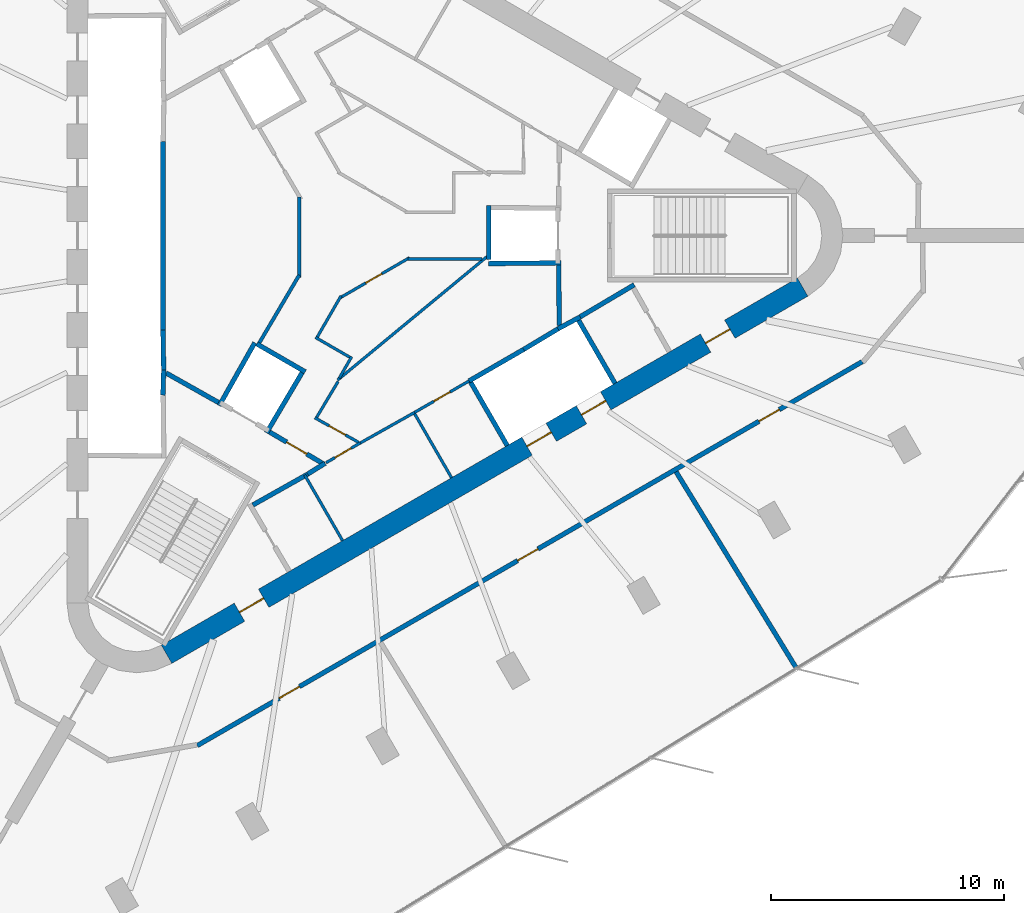
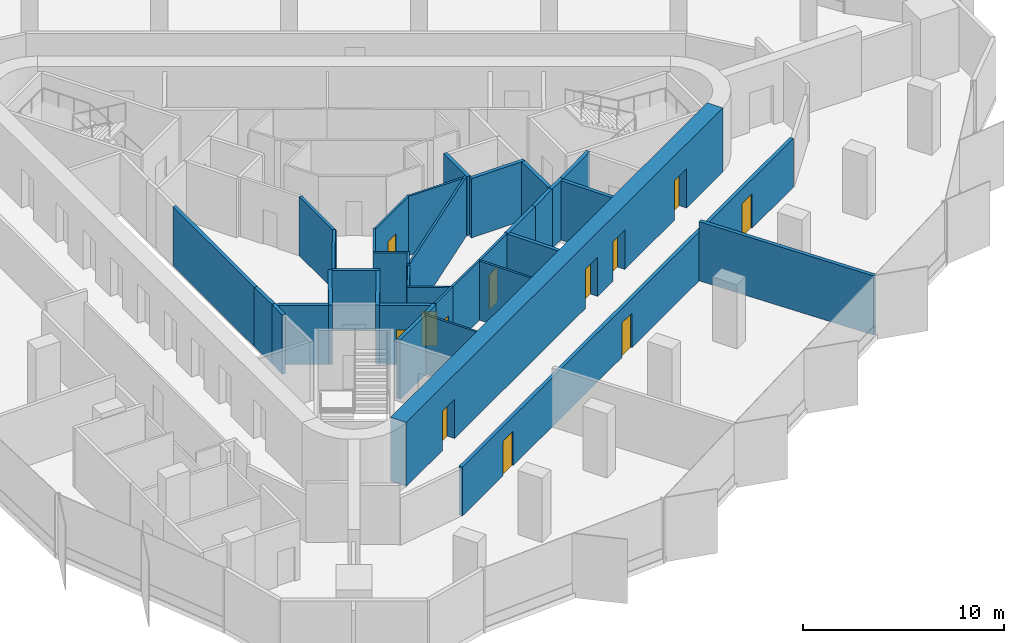
# One storey, part 8 of 12: 37 walls, 12 doors, 12 openings.
"""IFC4 building model written with IfcOpenShell, lengths in metres."""

from ifc_helpers import new_model, si_unit, direction, frame, frame_2d, origin, place, context, subcontext, project, spatial, rectangle, extrude, material, layer, layer_set, type_object, element, fill, save


model = new_model("IFC4")

# Units and contexts
model_context = context("Model", 3, precision=1e-05, world=origin(), true_north=direction((0.0, 1.0)))
body_context = subcontext(model_context, "Body", "Model", "MODEL_VIEW")
ifc_project = project(units=[si_unit("LENGTHUNIT", "METRE"), si_unit("AREAUNIT", "SQUARE_METRE"), si_unit("VOLUMEUNIT", "CUBIC_METRE"), si_unit("PLANEANGLEUNIT", "RADIAN"), si_unit("MASSUNIT", "GRAM", prefix="KILO")], contexts=[model_context])

# Site, building, storey
site_placement = place(None, origin())
site = spatial("IfcSite", under=ifc_project, at=site_placement, CompositionType="ELEMENT")
building_placement = place(site_placement, origin())
building = spatial("IfcBuilding", under=site, at=building_placement, Name="Tanit Gate Tower", CompositionType="ELEMENT")
storey_placement = place(building_placement, frame((0.0, 0.0, 345.5)))
storey = spatial("IfcBuildingStorey", under=building, at=storey_placement, Name="L78", CompositionType="ELEMENT", Elevation=345.5)

# Wall, openings, doors
ifc_material_1 = material(Name="Concrete C40/50", Category="concrete")
ifc_layer_1 = layer(ifc_material_1, 0.89990234375)
ifc_layer_set_1 = layer_set([ifc_layer_1], Name="CORE WALL 900 C40/50")
wall_type_1 = type_object("IfcWallType", Name="CORE WALL 900 C40/50", PredefinedType="SHEAR", material=ifc_layer_set_1)
wall_1_placement = place(storey_placement, frame((-7.824951171875, -17.969970703125, 0.0), z_axis=(0.0, 0.0, 1.0), x_axis=(0.866028369851, 0.499994862586, 0.0)))
wall_1 = element("IfcWall", 1, at=wall_1_placement, inside=storey, type_object=wall_type_1, Name="CORE WALL", PredefinedType="SHEAR", context=body_context, shape_type="SweptSolid", body=[
    extrude(rectangle(XDim=31.523193359375, YDim=0.89990234375, at=frame_2d((15.76171875, 0.0))), origin(), (0.0, 0.0, 1.0), 3.89990234375),
])
opening_1_placement = place(wall_1_placement, frame((17.861572265625, 0.0, 0.0)))
opening_1 = element("IfcOpeningElement", 2, at=opening_1_placement, cuts=wall_1, Name="Opening LDSV1-S22", PredefinedType="OPENING", context=body_context, shape_type="SweptSolid", body=[
    extrude(rectangle(XDim=1.199951171875, YDim=2.39990234375, at=frame_2d((0.60009765625, 1.199951171875))), frame((0.0, 0.4599609375, 0.0), z_axis=(0.0, -1.0, 0.0), x_axis=(1.0, 0.0, 0.0)), (0.0, 0.0, 1.0), 0.919921875),
])
opening_2_placement = place(wall_1_placement, frame((20.561767578125, 0.0, 0.0)))
opening_2 = element("IfcOpeningElement", 3, at=opening_2_placement, cuts=wall_1, Name="Opening LDSV2-S22", PredefinedType="OPENING", context=body_context, shape_type="SweptSolid", body=[
    extrude(rectangle(XDim=1.199951171875, YDim=2.39990234375, at=frame_2d((0.60009765625, 1.199951171875))), frame((0.0, 0.4599609375, 0.0), z_axis=(0.0, -1.0, 0.0), x_axis=(1.0, 0.0, 0.0)), (0.0, 0.0, 1.0), 0.919921875),
])
opening_3_placement = place(wall_1_placement, frame((26.711669921875, 0.0, 0.0)))
opening_3 = element("IfcOpeningElement", 4, at=opening_3_placement, cuts=wall_1, Name="Opening F12-S22-S1", PredefinedType="OPENING", context=body_context, shape_type="SweptSolid", body=[
    extrude(rectangle(XDim=1.199951171875, YDim=2.39990234375, at=frame_2d((0.60009765625, 1.199951171875))), frame((0.0, 0.4599609375, 0.0), z_axis=(0.0, -1.0, 0.0), x_axis=(1.0, 0.0, 0.0)), (0.0, 0.0, 1.0), 0.919921875),
])
opening_4_placement = place(wall_1_placement, frame((3.611572265625, 0.0, 0.0)))
opening_4 = element("IfcOpeningElement", 5, at=opening_4_placement, cuts=wall_1, Name="Opening F12-S22-FL3", PredefinedType="OPENING", context=body_context, shape_type="SweptSolid", body=[
    extrude(rectangle(XDim=1.199951171875, YDim=2.39990234375, at=frame_2d((0.60009765625, 1.199951171875))), frame((0.0, 0.4599609375, 0.0), z_axis=(0.0, -1.0, 0.0), x_axis=(1.0, 0.0, 0.0)), (0.0, 0.0, 1.0), 0.919921875),
])
ifc_material_2 = material(Name="Fire-rated steel door leaf", Category="steel")
door_type_1 = type_object("IfcDoorType", Name="INT-DOOR-FIRE-LOBBY-1200", OperationType="NOTDEFINED", PredefinedType="USERDEFINED", material=ifc_material_2)
door_1_placement = place(opening_3_placement, origin())
door_1 = element("IfcDoor", 6, at=door_1_placement, inside=storey, type_object=door_type_1, Name="Door F12-S22-S1", ObjectType="FIRE DOOR", OperationType="SINGLE_SWING_RIGHT", OverallHeight=2.39990234375, OverallWidth=1.199951171875, PredefinedType="USERDEFINED", context=body_context, shape_type="SweptSolid", body=[
    extrude(rectangle(XDim=1.199951171875, YDim=2.39990234375, at=frame_2d((0.60009765625, 1.199951171875))), frame((0.0, 0.02490234375, 0.0), z_axis=(0.0, -1.0, 0.0), x_axis=(1.0, 0.0, 0.0)), (0.0, 0.0, 1.0), 0.050048828125),
])
fill(opening_3, door_1)
door_2_placement = place(opening_4_placement, origin())
door_2 = element("IfcDoor", 7, at=door_2_placement, inside=storey, type_object=door_type_1, Name="Door F12-S22-FL3", ObjectType="FIRE DOOR", OperationType="SINGLE_SWING_LEFT", OverallHeight=2.39990234375, OverallWidth=1.199951171875, PredefinedType="USERDEFINED", context=body_context, shape_type="SweptSolid", body=[
    extrude(rectangle(XDim=1.199951171875, YDim=2.39990234375, at=frame_2d((0.60009765625, 1.199951171875))), frame((0.0, 0.02490234375, 0.0), z_axis=(0.0, -1.0, 0.0), x_axis=(1.0, 0.0, 0.0)), (0.0, 0.0, 1.0), 0.050048828125),
])
fill(opening_4, door_2)
ifc_material_3 = material(Name="Stainless steel sliding door leaf", Category="steel")
door_type_2 = type_object("IfcDoorType", Name="INT-DOOR-LANDING-1200", OperationType="NOTDEFINED", PredefinedType="USERDEFINED", material=ifc_material_3)
door_3_placement = place(opening_1_placement, origin())
door_3 = element("IfcDoor", 8, at=door_3_placement, inside=storey, type_object=door_type_2, Name="Door LDSV1-S22", ObjectType="LANDING DOOR", OperationType="SLIDING_TO_LEFT", OverallHeight=2.39990234375, OverallWidth=1.199951171875, PredefinedType="USERDEFINED", context=body_context, shape_type="SweptSolid", body=[
    extrude(rectangle(XDim=1.199951171875, YDim=2.39990234375, at=frame_2d((0.60009765625, 1.199951171875))), frame((0.0, 0.02490234375, 0.0), z_axis=(0.0, -1.0, 0.0), x_axis=(1.0, 0.0, 0.0)), (0.0, 0.0, 1.0), 0.050048828125),
])
fill(opening_1, door_3)
door_4_placement = place(opening_2_placement, origin())
door_4 = element("IfcDoor", 9, at=door_4_placement, inside=storey, type_object=door_type_2, Name="Door LDSV2-S22", ObjectType="LANDING DOOR", OperationType="SLIDING_TO_LEFT", OverallHeight=2.39990234375, OverallWidth=1.199951171875, PredefinedType="USERDEFINED", context=body_context, shape_type="SweptSolid", body=[
    extrude(rectangle(XDim=1.199951171875, YDim=2.39990234375, at=frame_2d((0.60009765625, 1.199951171875))), frame((0.0, 0.02490234375, 0.0), z_axis=(0.0, -1.0, 0.0), x_axis=(1.0, 0.0, 0.0)), (0.0, 0.0, 1.0), 0.050048828125),
])
fill(opening_2, door_4)

# Walls
ifc_material_4 = material(Name="Fire-rated gypsum board partition")
ifc_layer_2 = layer(ifc_material_4, 0.199951171875)
ifc_layer_set_2 = layer_set([ifc_layer_2], Name="INT-WALL-COMPARTMENT")
wall_type_2 = type_object("IfcWallType", Name="INT-WALL-COMPARTMENT", PredefinedType="PARTITIONING", material=ifc_layer_set_2)
wall_2_placement = place(storey_placement, frame((-1.7685546875, -10.23681640625, 0.0), z_axis=(0.0, 0.0, 1.0), x_axis=(-0.871534483978, -0.490334215854, 0.0)))
element("IfcWall", 10, at=wall_2_placement, inside=storey, type_object=wall_type_2, Name="Wall Compartment W054", PredefinedType="PARTITIONING", context=body_context, shape_type="SweptSolid", body=[
    extrude(rectangle(XDim=2.7001953125, YDim=0.199951171875, at=frame_2d((1.35009765625, 0.0))), origin(), (0.0, 0.0, 1.0), 3.60009765625),
])
wall_3_placement = place(storey_placement, frame((-1.02392578125, -9.77099609375, 0.0), z_axis=(0.0, 0.0, 1.0), x_axis=(-0.850348075135, -0.526220629693, 0.0)))
element("IfcWall", 11, at=wall_3_placement, inside=storey, type_object=wall_type_2, Name="Wall Compartment W056", PredefinedType="PARTITIONING", context=body_context, shape_type="SweptSolid", body=[
    extrude(rectangle(XDim=0.878173828125, YDim=0.199951171875, at=frame_2d((0.43896484375, 0.0))), origin(), (0.0, 0.0, 1.0), 3.60009765625),
])
wall_4_placement = place(storey_placement, frame((12.244873046875, -2.10888671875, 0.0), z_axis=(0.0, 0.0, 1.0), x_axis=(-0.860414880418, -0.509594185166, 0.0)))
element("IfcWall", 12, at=wall_4_placement, inside=storey, type_object=wall_type_2, Name="Wall Compartment W060", PredefinedType="PARTITIONING", context=body_context, shape_type="SweptSolid", body=[
    extrude(rectangle(XDim=2.7001953125, YDim=0.199951171875, at=frame_2d((1.35009765625, 0.0))), origin(), (0.0, 0.0, 1.0), 3.60009765625),
])
for number, where, z_axis, x_axis, name in (
    (13, (9.02880859375, -3.8505859375, 0.0), (0.0, 0.0, 1.0), (-0.010784614026, 0.999941844359, 0.0), "Wall Compartment W062"),
    (14, (-7.84912109375, -5.893798828125, 0.0), (0.0, 0.0, 1.0), (0.871340486379, -0.490678873396, 0.0), "Wall Compartment W066"),
):
    element("IfcWall", number, at=place(storey_placement, frame(where, z_axis=z_axis, x_axis=x_axis)), inside=storey, type_object=wall_type_2, Name=name, PredefinedType="PARTITIONING", context=body_context, shape_type="SweptSolid", body=[
        extrude(rectangle(XDim=2.580810546875, YDim=0.199951171875, at=frame_2d((1.29052734375, 0.0))), origin(), (0.0, 0.0, 1.0), 3.60009765625),
    ])

# Wall, opening, door
wall_5_placement = place(storey_placement, frame((-3.400634765625, -8.43017578125, 0.0), z_axis=(0.0, 0.0, 1.0), x_axis=(0.860617791406, -0.509251428192, 0.0)))
wall_5 = element("IfcWall", 15, at=wall_5_placement, inside=storey, type_object=wall_type_2, Name="Wall Compartment W067", PredefinedType="PARTITIONING", context=body_context, shape_type="SweptSolid", body=[
    extrude(rectangle(XDim=2.709228515625, YDim=0.199951171875, at=frame_2d((1.3544921875, 0.0))), origin(), (0.0, 0.0, 1.0), 3.60009765625),
])
opening_5_placement = place(wall_5_placement, frame((0.848388671875, 0.0, 0.0)))
opening_5 = element("IfcOpeningElement", 16, at=opening_5_placement, cuts=wall_5, Name="Opening F10-S22-08", PredefinedType="OPENING", context=body_context, shape_type="SweptSolid", body=[
    extrude(rectangle(XDim=1.0, YDim=2.10009765625, at=frame_2d((0.5, 1.050048828125))), frame((0.0, 0.10986328125, 0.0), z_axis=(0.0, -1.0, 0.0), x_axis=(1.0, 0.0, 0.0)), (0.0, 0.0, 1.0), 0.219970703125),
])
ifc_material_5 = material(Name="Fire-rated steel door leaf", Category="steel")
door_type_3 = type_object("IfcDoorType", Name="INT-DOOR-FIRE-1000", OperationType="NOTDEFINED", PredefinedType="USERDEFINED", material=ifc_material_5)
door_5_placement = place(opening_5_placement, origin())
door_5 = element("IfcDoor", 17, at=door_5_placement, inside=storey, type_object=door_type_3, Name="Door F10-S22-08", ObjectType="FIRE DOOR", OperationType="SINGLE_SWING_RIGHT", OverallHeight=2.10009765625, OverallWidth=1.0, PredefinedType="USERDEFINED", context=body_context, shape_type="SweptSolid", body=[
    extrude(rectangle(XDim=1.0, YDim=2.10009765625, at=frame_2d((0.5, 1.050048828125))), frame((0.0, 0.02490234375, 0.0), z_axis=(0.0, -1.0, 0.0), x_axis=(1.0, 0.0, 0.0)), (0.0, 0.0, 1.0), 0.050048828125),
])
fill(opening_5, door_5)

# Wall, openings, doors
wall_6_placement = place(storey_placement, frame((-6.505126953125, -21.884521484375, 0.0), z_axis=(0.0, 0.0, 1.0), x_axis=(0.86602457258, 0.500001439686, 0.0)))
wall_6 = element("IfcWall", 18, at=wall_6_placement, inside=storey, type_object=wall_type_2, Name="Wall Compartment W114", PredefinedType="PARTITIONING", context=body_context, shape_type="SweptSolid", body=[
    extrude(rectangle(XDim=32.95166015625, YDim=0.199951171875, at=frame_2d((16.475830078125, 0.0))), origin(), (0.0, 0.0, 1.0), 2.969970703125),
])
opening_6_placement = place(wall_6_placement, frame((27.838623046875, 0.0, 0.0)))
opening_6 = element("IfcOpeningElement", 19, at=opening_6_placement, cuts=wall_6, Name="Opening F10-S22-29", PredefinedType="OPENING", context=body_context, shape_type="SweptSolid", body=[
    extrude(rectangle(XDim=1.0, YDim=2.10009765625, at=frame_2d((0.5, 1.050048828125))), frame((0.0, 0.10986328125, 0.0), z_axis=(0.0, -1.0, 0.0), x_axis=(1.0, 0.0, 0.0)), (0.0, 0.0, 1.0), 0.219970703125),
])
opening_7_placement = place(wall_6_placement, frame((15.87255859375, 0.0, 0.0)))
opening_7 = element("IfcOpeningElement", 20, at=opening_7_placement, cuts=wall_6, Name="Opening F10-S22-30", PredefinedType="OPENING", context=body_context, shape_type="SweptSolid", body=[
    extrude(rectangle(XDim=1.0, YDim=2.10009765625, at=frame_2d((0.5, 1.050048828125))), frame((0.0, 0.10986328125, 0.0), z_axis=(0.0, -1.0, 0.0), x_axis=(1.0, 0.0, 0.0)), (0.0, 0.0, 1.0), 0.219970703125),
])
opening_8_placement = place(wall_6_placement, frame((4.0595703125, 0.0, 0.0)))
opening_8 = element("IfcOpeningElement", 21, at=opening_8_placement, cuts=wall_6, Name="Opening F10-S22-31", PredefinedType="OPENING", context=body_context, shape_type="SweptSolid", body=[
    extrude(rectangle(XDim=1.0, YDim=2.10009765625, at=frame_2d((0.5, 1.050048828125))), frame((0.0, 0.10986328125, 0.0), z_axis=(0.0, -1.0, 0.0), x_axis=(1.0, 0.0, 0.0)), (0.0, 0.0, 1.0), 0.219970703125),
])
door_6_placement = place(opening_6_placement, origin())
door_6 = element("IfcDoor", 22, at=door_6_placement, inside=storey, type_object=door_type_3, Name="Door F10-S22-29", ObjectType="FIRE DOOR", OperationType="SINGLE_SWING_RIGHT", OverallHeight=2.10009765625, OverallWidth=1.0, PredefinedType="USERDEFINED", context=body_context, shape_type="SweptSolid", body=[
    extrude(rectangle(XDim=1.0, YDim=2.10009765625, at=frame_2d((0.5, 1.050048828125))), frame((0.0, 0.02490234375, 0.0), z_axis=(0.0, -1.0, 0.0), x_axis=(1.0, 0.0, 0.0)), (0.0, 0.0, 1.0), 0.050048828125),
])
fill(opening_6, door_6)
door_7_placement = place(opening_7_placement, origin())
door_7 = element("IfcDoor", 23, at=door_7_placement, inside=storey, type_object=door_type_3, Name="Door F10-S22-30", ObjectType="FIRE DOOR", OperationType="SINGLE_SWING_RIGHT", OverallHeight=2.10009765625, OverallWidth=1.0, PredefinedType="USERDEFINED", context=body_context, shape_type="SweptSolid", body=[
    extrude(rectangle(XDim=1.0, YDim=2.10009765625, at=frame_2d((0.5, 1.050048828125))), frame((0.0, 0.02490234375, 0.0), z_axis=(0.0, -1.0, 0.0), x_axis=(1.0, 0.0, 0.0)), (0.0, 0.0, 1.0), 0.050048828125),
])
fill(opening_7, door_7)
door_8_placement = place(opening_8_placement, origin())
door_8 = element("IfcDoor", 24, at=door_8_placement, inside=storey, type_object=door_type_3, Name="Door F10-S22-31", ObjectType="FIRE DOOR", OperationType="SINGLE_SWING_LEFT", OverallHeight=2.10009765625, OverallWidth=1.0, PredefinedType="USERDEFINED", context=body_context, shape_type="SweptSolid", body=[
    extrude(rectangle(XDim=1.0, YDim=2.10009765625, at=frame_2d((0.5, 1.050048828125))), frame((0.0, 0.02490234375, 0.0), z_axis=(0.0, -1.0, 0.0), x_axis=(1.0, 0.0, 0.0)), (0.0, 0.0, 1.0), 0.050048828125),
])
fill(opening_8, door_8)

# Walls
wall_7_placement = place(storey_placement, frame((14.04248046875, -10.13671875, 0.0), z_axis=(0.0, 0.0, 1.0), x_axis=(0.522290974672, -0.852767340941, 0.0)))
element("IfcWall", 25, at=wall_7_placement, inside=storey, type_object=wall_type_2, Name="Wall Compartment W133", PredefinedType="PARTITIONING", context=body_context, shape_type="SweptSolid", body=[
    extrude(rectangle(XDim=9.884521484375, YDim=0.199951171875, at=frame_2d((4.9423828125, 0.0))), origin(), (0.0, 0.0, 1.0), 3.60009765625),
])
ifc_material_6 = material(Name="Gypsum board partition")
ifc_layer_3 = layer(ifc_material_6, 0.1201171875)
ifc_layer_set_3 = layer_set([ifc_layer_3], Name="INT-WALL-PARTITION")
wall_type_3 = type_object("IfcWallType", Name="INT-WALL-PARTITION", PredefinedType="PARTITIONING", material=ifc_layer_set_3)
for number, where, z_axis, x_axis, name in (
    (26, (-1.896728515625, -10.27490234375, 0.0), (0.0, 0.0, 1.0), (0.499984717929, -0.866034226713, 0.0), "Wall Partition W052"),
    (27, (4.40478515625, -10.389404296875, 0.0), (0.0, 0.0, 1.0), (-0.500017246033, 0.866015446554, 0.0), "Wall Partition W055"),
):
    element("IfcWall", number, at=place(storey_placement, frame(where, z_axis=z_axis, x_axis=x_axis)), inside=storey, type_object=wall_type_3, Name=name, PredefinedType="PARTITIONING", context=body_context, shape_type="SweptSolid", body=[
        extrude(rectangle(XDim=3.25, YDim=0.1201171875, at=frame_2d((1.625, 0.0))), origin(), (0.0, 0.0, 1.0), 3.60009765625),
    ])
wall_8_placement = place(storey_placement, frame((0.493896484375, -8.895751953125, 0.0), z_axis=(0.0, 0.0, 1.0), x_axis=(0.871426548871, 0.490526013503, 0.0)))
element("IfcWall", 28, at=wall_8_placement, inside=storey, type_object=wall_type_3, Name="Wall Partition W057", PredefinedType="PARTITIONING", context=body_context, shape_type="SweptSolid", body=[
    extrude(rectangle(XDim=2.670166015625, YDim=0.1201171875, at=frame_2d((1.3349609375, 0.0))), origin(), (0.0, 0.0, 1.0), 3.60009765625),
])

# Wall, opening, door
wall_9_placement = place(storey_placement, frame((0.493408203125, -8.89501953125, 0.0), z_axis=(0.0, 0.0, 1.0), x_axis=(-0.866027945518, -0.499995597562, 0.0)))
wall_9 = element("IfcWall", 29, at=wall_9_placement, inside=storey, type_object=wall_type_3, Name="Wall Partition W058", PredefinedType="PARTITIONING", context=body_context, shape_type="SweptSolid", body=[
    extrude(rectangle(XDim=1.7021484375, YDim=0.1201171875, at=frame_2d((0.85107421875, 0.0))), origin(), (0.0, 0.0, 1.0), 3.60009765625),
])
opening_9_placement = place(wall_9_placement, frame((0.461181640625, 0.0, 0.0)))
opening_9 = element("IfcOpeningElement", 30, at=opening_9_placement, cuts=wall_9, Name="Opening R08-S22-18", PredefinedType="OPENING", context=body_context, shape_type="SweptSolid", body=[
    extrude(rectangle(XDim=0.800048828125, YDim=2.10009765625, at=frame_2d((0.39990234375, 1.050048828125))), frame((0.0, 0.070068359375, 0.0), z_axis=(0.0, -1.0, 0.0), x_axis=(1.0, 0.0, 0.0)), (0.0, 0.0, 1.0), 0.14013671875),
])
ifc_material_7 = material(Name="Timber door leaf", Category="wood")
door_type_4 = type_object("IfcDoorType", Name="INT-DOOR-RISER-800", OperationType="NOTDEFINED", PredefinedType="USERDEFINED", material=ifc_material_7)
door_9_placement = place(opening_9_placement, origin())
door_9 = element("IfcDoor", 31, at=door_9_placement, inside=storey, type_object=door_type_4, Name="Door R08-S22-18", ObjectType="FIRE DOOR", OperationType="SINGLE_SWING_LEFT", OverallHeight=2.10009765625, OverallWidth=0.800048828125, PredefinedType="USERDEFINED", context=body_context, shape_type="SweptSolid", body=[
    extrude(rectangle(XDim=0.800048828125, YDim=2.10009765625, at=frame_2d((0.39990234375, 1.050048828125))), frame((0.0, 0.02490234375, 0.0), z_axis=(0.0, -1.0, 0.0), x_axis=(1.0, 0.0, 0.0)), (0.0, 0.0, 1.0), 0.050048828125),
])
fill(opening_9, door_9)

wall_10_placement = place(storey_placement, frame((2.82080078125, -7.5859375, 0.0), z_axis=(0.0, 0.0, 1.0), x_axis=(0.866019956843, 0.50000943426, 0.0)))
wall_10 = element("IfcWall", 32, at=wall_10_placement, inside=storey, type_object=wall_type_3, Name="Wall Partition W059", PredefinedType="PARTITIONING", context=body_context, shape_type="SweptSolid", body=[
    extrude(rectangle(XDim=2.7001953125, YDim=0.1201171875, at=frame_2d((1.35009765625, 0.0))), origin(), (0.0, 0.0, 1.0), 3.60009765625),
])
opening_10_placement = place(wall_10_placement, frame((0.949951171875, 0.0, 0.0)))
opening_10 = element("IfcOpeningElement", 33, at=opening_10_placement, cuts=wall_10, Name="Opening R08-S22-19", PredefinedType="OPENING", context=body_context, shape_type="SweptSolid", body=[
    extrude(rectangle(XDim=0.800048828125, YDim=2.10009765625, at=frame_2d((0.39990234375, 1.050048828125))), frame((0.0, 0.070068359375, 0.0), z_axis=(0.0, -1.0, 0.0), x_axis=(1.0, 0.0, 0.0)), (0.0, 0.0, 1.0), 0.14013671875),
])
door_10_placement = place(opening_10_placement, origin())
door_10 = element("IfcDoor", 34, at=door_10_placement, inside=storey, type_object=door_type_4, Name="Door R08-S22-19", ObjectType="FIRE DOOR", OperationType="SINGLE_SWING_LEFT", OverallHeight=2.10009765625, OverallWidth=0.800048828125, PredefinedType="USERDEFINED", context=body_context, shape_type="SweptSolid", body=[
    extrude(rectangle(XDim=0.800048828125, YDim=2.10009765625, at=frame_2d((0.39990234375, 1.050048828125))), frame((0.0, 0.02490234375, 0.0), z_axis=(0.0, -1.0, 0.0), x_axis=(1.0, 0.0, 0.0)), (0.0, 0.0, 1.0), 0.050048828125),
])
fill(opening_10, door_10)

# Walls
wall_11_placement = place(storey_placement, frame((5.935546875, -0.893798828125, 0.0), z_axis=(0.0, 0.0, 1.0), x_axis=(-0.770832870475, -0.637037428881, 0.0)))
element("IfcWall", 35, at=wall_11_placement, inside=storey, type_object=wall_type_3, Name="Wall Partition W071", PredefinedType="PARTITIONING", context=body_context, shape_type="SweptSolid", body=[
    extrude(rectangle(XDim=8.331787109375, YDim=0.1201171875, at=frame_2d((4.166015625, 0.0))), origin(), (0.0, 0.0, 1.0), 3.60009765625),
])
wall_12_placement = place(storey_placement, frame((-0.41064453125, -6.111328125, 0.0), z_axis=(0.0, 0.0, 1.0), x_axis=(0.49986229611, 0.866104892567, 0.0)))
element("IfcWall", 36, at=wall_12_placement, inside=storey, type_object=wall_type_3, Name="Wall Partition W072", PredefinedType="PARTITIONING", context=body_context, shape_type="SweptSolid", body=[
    extrude(rectangle(XDim=1.057861328125, YDim=0.1201171875, at=frame_2d((0.52880859375, 0.0))), origin(), (0.0, 0.0, 1.0), 3.60009765625),
])
wall_13_placement = place(storey_placement, frame((-1.43603515625, -4.3671875, 0.0), z_axis=(0.0, 0.0, 1.0), x_axis=(0.866087547558, -0.499892348375, 0.0)))
element("IfcWall", 37, at=wall_13_placement, inside=storey, type_object=wall_type_3, Name="Wall Partition W073", PredefinedType="PARTITIONING", context=body_context, shape_type="SweptSolid", body=[
    extrude(rectangle(XDim=1.699951171875, YDim=0.1201171875, at=frame_2d((0.85009765625, 0.0))), origin(), (0.0, 0.0, 1.0), 3.60009765625),
])
wall_14_placement = place(storey_placement, frame((-0.337646484375, -2.5849609375, 0.0), z_axis=(0.0, 0.0, 1.0), x_axis=(-0.50002743572, -0.866009563185, 0.0)))
element("IfcWall", 38, at=wall_14_placement, inside=storey, type_object=wall_type_3, Name="Wall Partition W074", PredefinedType="PARTITIONING", context=body_context, shape_type="SweptSolid", body=[
    extrude(rectangle(XDim=2.03271484375, YDim=0.1201171875, at=frame_2d((1.016357421875, 0.0))), origin(), (0.0, 0.0, 1.0), 3.60009765625),
])

# Wall, opening, door
wall_15_placement = place(storey_placement, frame((2.6015625, -0.947998046875, 0.0), z_axis=(0.0, 0.0, 1.0), x_axis=(-0.86601279846, -0.500021832428, 0.0)))
wall_15 = element("IfcWall", 39, at=wall_15_placement, inside=storey, type_object=wall_type_3, Name="Wall Partition W075", PredefinedType="PARTITIONING", context=body_context, shape_type="SweptSolid", body=[
    extrude(rectangle(XDim=3.435302734375, YDim=0.1201171875, at=frame_2d((1.7177734375, 0.0))), origin(), (0.0, 0.0, 1.0), 3.60009765625),
])
opening_11_placement = place(wall_15_placement, frame((1.36962890625, 0.0, 0.0)))
opening_11 = element("IfcOpeningElement", 40, at=opening_11_placement, cuts=wall_15, Name="Opening R08-S22-11", PredefinedType="OPENING", context=body_context, shape_type="SweptSolid", body=[
    extrude(rectangle(XDim=0.800048828125, YDim=2.10009765625, at=frame_2d((0.39990234375, 1.050048828125))), frame((0.0, 0.070068359375, 0.0), z_axis=(0.0, -1.0, 0.0), x_axis=(1.0, 0.0, 0.0)), (0.0, 0.0, 1.0), 0.14013671875),
])
door_11_placement = place(opening_11_placement, origin())
door_11 = element("IfcDoor", 41, at=door_11_placement, inside=storey, type_object=door_type_4, Name="Door R08-S22-11", ObjectType="FIRE DOOR", OperationType="SINGLE_SWING_LEFT", OverallHeight=2.10009765625, OverallWidth=0.800048828125, PredefinedType="USERDEFINED", context=body_context, shape_type="SweptSolid", body=[
    extrude(rectangle(XDim=0.800048828125, YDim=2.10009765625, at=frame_2d((0.39990234375, 1.050048828125))), frame((0.0, 0.02490234375, 0.0), z_axis=(0.0, -1.0, 0.0), x_axis=(1.0, 0.0, 0.0)), (0.0, 0.0, 1.0), 0.050048828125),
])
fill(opening_11, door_11)

# Wall
wall_16_placement = place(storey_placement, frame((5.712646484375, -1.0, 0.0), z_axis=(0.0, 0.0, 1.0), x_axis=(-1.0, 0.0, 0.0)))
element("IfcWall", 42, at=wall_16_placement, inside=storey, type_object=wall_type_3, Name="Wall Partition W076", PredefinedType="PARTITIONING", context=body_context, shape_type="SweptSolid", body=[
    extrude(rectangle(XDim=3.1826171875, YDim=0.1201171875, at=frame_2d((1.59130859375, 0.0))), origin(), (0.0, 0.0, 1.0), 3.60009765625),
])

# Wall, opening, door
wall_17_placement = place(storey_placement, frame((-1.464111328125, -7.81591796875, 0.0), z_axis=(0.0, 0.0, 1.0), x_axis=(0.871859859416, -0.489755434416, 0.0)))
wall_17 = element("IfcWall", 43, at=wall_17_placement, inside=storey, type_object=wall_type_3, Name="Wall Partition W077", PredefinedType="PARTITIONING", context=body_context, shape_type="SweptSolid", body=[
    extrude(rectangle(XDim=2.154541015625, YDim=0.1201171875, at=frame_2d((1.0771484375, 0.0))), origin(), (0.0, 0.0, 1.0), 3.60009765625),
])
opening_12_placement = place(wall_17_placement, frame((0.707275390625, 0.0, 0.0)))
opening_12 = element("IfcOpeningElement", 44, at=opening_12_placement, cuts=wall_17, Name="Opening R08-S22-12", PredefinedType="OPENING", context=body_context, shape_type="SweptSolid", body=[
    extrude(rectangle(XDim=0.800048828125, YDim=2.10009765625, at=frame_2d((0.39990234375, 1.050048828125))), frame((0.0, 0.070068359375, 0.0), z_axis=(0.0, -1.0, 0.0), x_axis=(1.0, 0.0, 0.0)), (0.0, 0.0, 1.0), 0.14013671875),
])
door_12_placement = place(opening_12_placement, origin())
door_12 = element("IfcDoor", 45, at=door_12_placement, inside=storey, type_object=door_type_4, Name="Door R08-S22-12", ObjectType="FIRE DOOR", OperationType="SINGLE_SWING_RIGHT", OverallHeight=2.10009765625, OverallWidth=0.800048828125, PredefinedType="USERDEFINED", context=body_context, shape_type="SweptSolid", body=[
    extrude(rectangle(XDim=0.800048828125, YDim=2.10009765625, at=frame_2d((0.39990234375, 1.050048828125))), frame((0.0, 0.02490234375, 0.0), z_axis=(0.0, -1.0, 0.0), x_axis=(1.0, 0.0, 0.0)), (0.0, 0.0, 1.0), 0.050048828125),
])
fill(opening_12, door_12)

# Walls
wall_18_placement = place(storey_placement, frame((-0.46337890625, -6.256591796875, 0.0), z_axis=(0.0, 0.0, 1.0), x_axis=(-0.512528878122, -0.858669988466, 0.0)))
element("IfcWall", 46, at=wall_18_placement, inside=storey, type_object=wall_type_3, Name="Wall Partition W078", PredefinedType="PARTITIONING", context=body_context, shape_type="SweptSolid", body=[
    extrude(rectangle(XDim=1.7900390625, YDim=0.1201171875, at=frame_2d((0.89501953125, 0.0))), origin(), (0.0, 0.0, 1.0), 3.60009765625),
])
ifc_material_8 = material(Name="Fire-rated gypsum board partition")
ifc_layer_4 = layer(ifc_material_8, 0.14990234375)
ifc_layer_set_4 = layer_set([ifc_layer_4], Name="INT-WALL-RISER")
wall_type_4 = type_object("IfcWallType", Name="INT-WALL-RISER", PredefinedType="PLUMBINGWALL", material=ifc_layer_set_4)
wall_19_placement = place(storey_placement, frame((-2.121826171875, -1.802490234375, 0.0), z_axis=(0.0, 0.0, 1.0), x_axis=(0.0, 1.0, 0.0)))
element("IfcWall", 47, at=wall_19_placement, inside=storey, type_object=wall_type_4, Name="Wall Riser W069", PredefinedType="PLUMBINGWALL", context=body_context, shape_type="SweptSolid", body=[
    extrude(rectangle(XDim=3.453857421875, YDim=0.14990234375, at=frame_2d((1.72705078125, 0.0))), origin(), (0.0, 0.0, 1.0), 3.60009765625),
])
wall_20_placement = place(storey_placement, frame((-3.8408203125, -4.59521484375, 0.0), z_axis=(0.0, 0.0, 1.0), x_axis=(0.507318157939, 0.861758833216, 0.0)))
element("IfcWall", 48, at=wall_20_placement, inside=storey, type_object=wall_type_4, Name="Wall Riser W070", PredefinedType="PLUMBINGWALL", context=body_context, shape_type="SweptSolid", body=[
    extrude(rectangle(XDim=3.36474609375, YDim=0.14990234375, at=frame_2d((1.682373046875, 0.0))), origin(), (0.0, 0.0, 1.0), 3.60009765625),
])
ifc_material_9 = material(Name="Gypsum shaft wall system")
ifc_layer_5 = layer(ifc_material_9, 0.199951171875)
ifc_layer_set_5 = layer_set([ifc_layer_5], Name="INT-WALL-SHAFT")
wall_type_5 = type_object("IfcWallType", Name="INT-WALL-SHAFT", PredefinedType="PLUMBINGWALL", material=ifc_layer_set_5)
wall_21_placement = place(storey_placement, frame((-7.97998046875, 4.050048828125, 0.0), z_axis=(0.0, 0.0, 1.0), x_axis=(0.0, -1.0, 0.0)))
element("IfcWall", 49, at=wall_21_placement, inside=storey, type_object=wall_type_5, Name="Wall Shaft W005", PredefinedType="PLUMBINGWALL", context=body_context, shape_type="SweptSolid", body=[
    extrude(rectangle(XDim=8.10009765625, YDim=0.199951171875, at=frame_2d((4.050048828125, 0.0))), origin(), (0.0, 0.0, 1.0), 3.60009765625),
])
wall_22_placement = place(storey_placement, frame((-7.949951171875, -5.7724609375, 0.0), z_axis=(0.0, 0.0, 1.0), x_axis=(-0.030803413295, -0.999525462272, 0.0)))
element("IfcWall", 50, at=wall_22_placement, inside=storey, type_object=wall_type_5, Name="Wall Shaft W008", PredefinedType="PLUMBINGWALL", context=body_context, shape_type="SweptSolid", body=[
    extrude(rectangle(XDim=1.077880859375, YDim=0.199951171875, at=frame_2d((0.5390625, 0.0))), origin(), (0.0, 0.0, 1.0), 3.60009765625),
])
wall_23_placement = place(storey_placement, frame((-7.97998046875, -4.050048828125, 0.0), z_axis=(0.0, 0.0, 1.0), x_axis=(0.016809909365, -0.999858703491, 0.0)))
element("IfcWall", 51, at=wall_23_placement, inside=storey, type_object=wall_type_5, Name="Wall Shaft W009", PredefinedType="PLUMBINGWALL", context=body_context, shape_type="SweptSolid", body=[
    extrude(rectangle(XDim=1.844482421875, YDim=0.199951171875, at=frame_2d((0.92236328125, 0.0))), origin(), (0.0, 0.0, 1.0), 3.60009765625),
])
wall_24_placement = place(storey_placement, frame((6.795166015625, -9.009521484375, 0.0), z_axis=(0.0, 0.0, 1.0), x_axis=(-0.499984717929, 0.866034226713, 0.0)))
element("IfcWall", 52, at=wall_24_placement, inside=storey, type_object=wall_type_5, Name="Wall Shaft W015", PredefinedType="PLUMBINGWALL", context=body_context, shape_type="SweptSolid", body=[
    extrude(rectangle(XDim=3.25, YDim=0.199951171875, at=frame_2d((1.625, 0.0))), origin(), (0.0, 0.0, 1.0), 3.60009765625),
])
wall_25_placement = place(storey_placement, frame((5.1591796875, -6.23583984375, 0.0), z_axis=(0.0, 0.0, 1.0), x_axis=(0.866036505625, 0.499980770555, 0.0)))
element("IfcWall", 53, at=wall_25_placement, inside=storey, type_object=wall_type_5, Name="Wall Shaft W016", PredefinedType="PLUMBINGWALL", context=body_context, shape_type="SweptSolid", body=[
    extrude(rectangle(XDim=2.69970703125, YDim=0.199951171875, at=frame_2d((1.349853515625, 0.0))), origin(), (0.0, 0.0, 1.0), 3.60009765625),
])
wall_26_placement = place(storey_placement, frame((9.794677734375, -3.52490234375, 0.0), z_axis=(0.0, 0.0, 1.0), x_axis=(0.499984717929, -0.866034226713, 0.0)))
element("IfcWall", 54, at=wall_26_placement, inside=storey, type_object=wall_type_5, Name="Wall Shaft W017", PredefinedType="PLUMBINGWALL", context=body_context, shape_type="SweptSolid", body=[
    extrude(rectangle(XDim=3.25, YDim=0.199951171875, at=frame_2d((1.625, 0.0))), origin(), (0.0, 0.0, 1.0), 3.60009765625),
])
wall_27_placement = place(storey_placement, frame((8.97412109375, -3.998779296875, 0.0), z_axis=(0.0, 0.0, 1.0), x_axis=(0.880907015104, 0.473289373154, 0.0)))
element("IfcWall", 55, at=wall_27_placement, inside=storey, type_object=wall_type_5, Name="Wall Shaft W018", PredefinedType="PLUMBINGWALL", context=body_context, shape_type="SweptSolid", body=[
    extrude(rectangle(XDim=1.078125, YDim=0.199951171875, at=frame_2d((0.5390625, 0.0))), origin(), (0.0, 0.0, 1.0), 3.60009765625),
])
wall_28_placement = place(storey_placement, frame((7.497314453125, -4.885986328125, 0.0), z_axis=(0.0, 0.0, 1.0), x_axis=(0.857516281273, 0.51445682749, 0.0)))
element("IfcWall", 56, at=wall_28_placement, inside=storey, type_object=wall_type_5, Name="Wall Shaft W019", PredefinedType="PLUMBINGWALL", context=body_context, shape_type="SweptSolid", body=[
    extrude(rectangle(XDim=1.8447265625, YDim=0.199951171875, at=frame_2d((0.92236328125, 0.0))), origin(), (0.0, 0.0, 1.0), 3.60009765625),
])
wall_29_placement = place(storey_placement, frame((9.10009765625, -1.1689453125, 0.0), z_axis=(0.0, 0.0, 1.0), x_axis=(-0.999949988, -0.010001074852, 0.0)))
element("IfcWall", 57, at=wall_29_placement, inside=storey, type_object=wall_type_5, Name="Wall Shaft W025", PredefinedType="PLUMBINGWALL", context=body_context, shape_type="SweptSolid", body=[
    extrude(rectangle(XDim=3.100341796875, YDim=0.199951171875, at=frame_2d((1.55029296875, 0.0))), origin(), (0.0, 0.0, 1.0), 3.60009765625),
])
wall_30_placement = place(storey_placement, frame((6.0, -1.029541015625, 0.0), z_axis=(0.0, 0.0, 1.0), x_axis=(0.0, 1.0, 0.0)))
element("IfcWall", 58, at=wall_30_placement, inside=storey, type_object=wall_type_5, Name="Wall Shaft W026", PredefinedType="PLUMBINGWALL", context=body_context, shape_type="SweptSolid", body=[
    extrude(rectangle(XDim=2.32958984375, YDim=0.199951171875, at=frame_2d((1.164794921875, 0.0))), origin(), (0.0, 0.0, 1.0), 3.60009765625),
])
wall_31_placement = place(storey_placement, frame((-5.5625, -7.29638671875, 0.0), z_axis=(0.0, 0.0, 1.0), x_axis=(0.491322718731, 0.870977603649, 0.0)))
element("IfcWall", 59, at=wall_31_placement, inside=storey, type_object=wall_type_5, Name="Wall Shaft W041", PredefinedType="PLUMBINGWALL", context=body_context, shape_type="SweptSolid", body=[
    extrude(rectangle(XDim=3.10009765625, YDim=0.199951171875, at=frame_2d((1.550048828125, 0.0))), origin(), (0.0, 0.0, 1.0), 3.60009765625),
])
wall_32_placement = place(storey_placement, frame((-3.95654296875, -4.643798828125, 0.0), z_axis=(0.0, 0.0, 1.0), x_axis=(0.865991127953, -0.500059362782, 0.0)))
element("IfcWall", 60, at=wall_32_placement, inside=storey, type_object=wall_type_5, Name="Wall Shaft W042", PredefinedType="PLUMBINGWALL", context=body_context, shape_type="SweptSolid", body=[
    extrude(rectangle(XDim=2.404541015625, YDim=0.199951171875, at=frame_2d((1.2021484375, 0.0))), origin(), (0.0, 0.0, 1.0), 3.60009765625),
])
wall_33_placement = place(storey_placement, frame((-2.01171875, -5.88232421875, 0.0), z_axis=(0.0, 0.0, 1.0), x_axis=(-0.508619639323, -0.860991325447, 0.0)))
element("IfcWall", 61, at=wall_33_placement, inside=storey, type_object=wall_type_5, Name="Wall Shaft W043", PredefinedType="PLUMBINGWALL", context=body_context, shape_type="SweptSolid", body=[
    extrude(rectangle(XDim=3.0, YDim=0.199951171875, at=frame_2d((1.5, 0.0))), origin(), (0.0, 0.0, 1.0), 3.60009765625),
])

save(model, "model.ifc")
